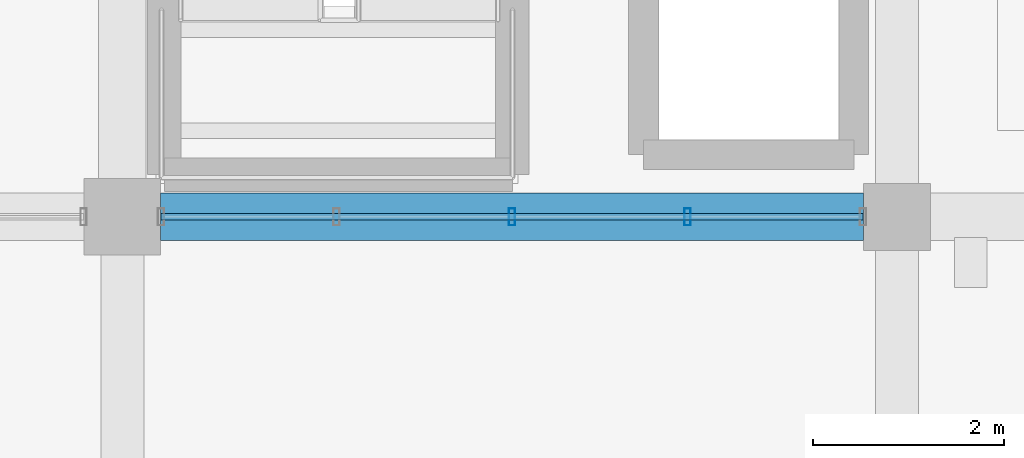
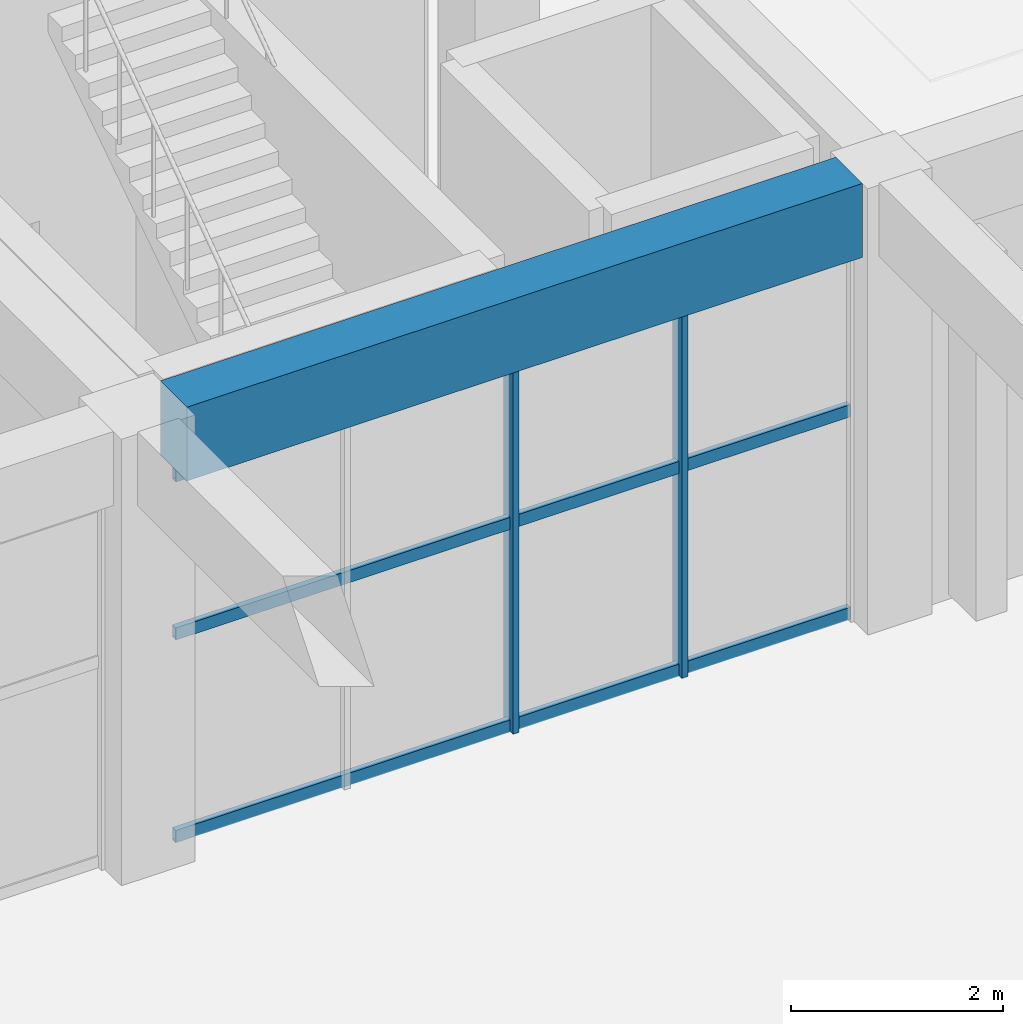
# One storey, part 29 of 140: 5 members, 1 beam, 1 element without a shape of its own.
"""IFC4 building model written with IfcOpenShell, lengths in metres."""

from ifc_helpers import new_model, si_unit, direction, frame, origin, origin_2d, place, context, subcontext, project, spatial, rectangle, hollow_rectangle, extrude, material, material_profile, profile_set, type_object, element, aggregate, save


model = new_model("IFC4")

# Units and contexts
model_context = context("Model", 3, precision=1e-05, world=origin(), true_north=direction((0.0, 1.0)))
body_context = subcontext(model_context, "Body", "Model", "MODEL_VIEW")
ifc_project = project(units=[si_unit("LENGTHUNIT", "METRE"), si_unit("AREAUNIT", "SQUARE_METRE"), si_unit("VOLUMEUNIT", "CUBIC_METRE"), si_unit("PLANEANGLEUNIT", "RADIAN"), si_unit("MASSUNIT", "GRAM", prefix="KILO")], contexts=[model_context])

# Site, building, storey
site_placement = place(None, origin())
site = spatial("IfcSite", under=ifc_project, at=site_placement, CompositionType="ELEMENT")
building_placement = place(site_placement, origin())
building = spatial("IfcBuilding", under=site, at=building_placement, Name="Cimatlan Art Gallery", CompositionType="ELEMENT")
storey_placement = place(building_placement, origin())
storey = spatial("IfcBuildingStorey", under=building, at=storey_placement, Name="L00", CompositionType="ELEMENT", Elevation=0.0)

# Beam
ifc_material_1 = material(Name="Concrete C40/50", Category="concrete")
ifc_material_profile_1 = material_profile(ifc_material_1, rectangle(XDim=0.5, YDim=0.85009765625, at=origin_2d()), Name="RC500X850")
ifc_profile_set_1 = profile_set([ifc_material_profile_1], Name="Concrete C40/50")
beam_type = type_object("IfcBeamType", Name="BM-RC-500X850", PredefinedType="BEAM", material=ifc_profile_set_1)
beam_placement = place(storey_placement, frame((75.300048828125, 23.89990234375, 4.7099609375), z_axis=(1.0, 0.0, 0.0), x_axis=(0.0, 1.0, 0.0)))
element("IfcBeam", 1, at=beam_placement, inside=storey, type_object=beam_type, Name="BM-X-L00-09-03", PredefinedType="BEAM", context=body_context, shape_type="SweptSolid", body=[
    extrude(rectangle(XDim=0.5, YDim=0.85009765625, at=origin_2d()), origin(), (0.0, 0.0, 1.0), 7.349853515625),
])

# Curtain wall, members
ifc_material_2 = material(Name="Anodised bronze unitised curtain wall")
curtain_wall_type = type_object("IfcCurtainWallType", Name="CW-V-07342X04270-B4", PredefinedType="NOTDEFINED", material=ifc_material_2)
curtain_wall_placement = place(storey_placement, origin())
curtain_wall = element("IfcCurtainWall", 2, at=curtain_wall_placement, inside=storey, type_object=curtain_wall_type, Name="CW-L00-09-03-S", PredefinedType="NOTDEFINED")
ifc_material_3 = material(Name="Anodised bronze aluminium 6063-T6", Category="aluminium")
ifc_material_profile_2 = material_profile(ifc_material_3, hollow_rectangle(XDim=0.06494140625, YDim=0.179931640625, WallThickness=0.00390625, at=origin_2d()), Name="ALU65X180X4")
ifc_profile_set_2 = profile_set([ifc_material_profile_2], Name="Anodised bronze aluminium 6063-T6")
member_type_1 = type_object("IfcMemberType", Name="CW-MUL-180", PredefinedType="MULLION", material=ifc_profile_set_2)
member_1_placement = place(storey_placement, frame((80.810546875, 23.89990234375, 0.0), z_axis=(0.0, 0.0, 1.0), x_axis=(1.0, 0.0, 0.0)))
member_1 = element("IfcMember", 3, at=member_1_placement, type_object=member_type_1, Name="CW-L00-09-03-S-M2", PredefinedType="MULLION", context=body_context, shape_type="SweptSolid", body=[
    extrude(hollow_rectangle(XDim=0.06494140625, YDim=0.179931640625, WallThickness=0.00390625, at=origin_2d()), origin(), (0.0, 0.0, 1.0), 4.27001953125),
])
member_2_placement = place(storey_placement, frame((78.97509765625, 23.89990234375, 0.0), z_axis=(0.0, 0.0, 1.0), x_axis=(1.0, 0.0, 0.0)))
member_2 = element("IfcMember", 4, at=member_2_placement, type_object=member_type_1, Name="CW-L00-09-03-S-M3", PredefinedType="MULLION", context=body_context, shape_type="SweptSolid", body=[
    extrude(hollow_rectangle(XDim=0.06494140625, YDim=0.179931640625, WallThickness=0.00390625, at=origin_2d()), origin(), (0.0, 0.0, 1.0), 4.27001953125),
])
ifc_material_profile_3 = material_profile(ifc_material_3, hollow_rectangle(XDim=0.06494140625, YDim=0.139892578125, WallThickness=0.00390625, at=origin_2d()), Name="ALU65X140X4")
ifc_profile_set_3 = profile_set([ifc_material_profile_3], Name="Anodised bronze aluminium 6063-T6")
member_type_2 = type_object("IfcMemberType", Name="CW-TRN-140", PredefinedType="USERDEFINED", material=ifc_profile_set_3)
member_3_placement = place(storey_placement, frame((82.64599609375, 23.89990234375, 0.06005859375), z_axis=(-1.0, 0.0, 0.0), x_axis=(0.0, -1.0, 0.0)))
member_3 = element("IfcMember", 5, at=member_3_placement, type_object=member_type_2, Name="CW-L00-09-03-S-T1", ObjectType="TRANSOM", PredefinedType="USERDEFINED", context=body_context, shape_type="SweptSolid", body=[
    extrude(hollow_rectangle(XDim=0.06494140625, YDim=0.139892578125, WallThickness=0.00390625, at=origin_2d()), origin(), (0.0, 0.0, 1.0), 7.342041015625),
])
member_4_placement = place(storey_placement, frame((82.64599609375, 23.89990234375, 2.39111328125), z_axis=(-1.0, 0.0, 0.0), x_axis=(0.0, -1.0, 0.0)))
member_4 = element("IfcMember", 6, at=member_4_placement, type_object=member_type_2, Name="CW-L00-09-03-S-T2", ObjectType="TRANSOM", PredefinedType="USERDEFINED", context=body_context, shape_type="SweptSolid", body=[
    extrude(hollow_rectangle(XDim=0.06494140625, YDim=0.139892578125, WallThickness=0.00390625, at=origin_2d()), origin(), (0.0, 0.0, 1.0), 7.342041015625),
])
member_5_placement = place(storey_placement, frame((82.64599609375, 23.89990234375, 4.2099609375), z_axis=(-1.0, 0.0, 0.0), x_axis=(0.0, -1.0, 0.0)))
member_5 = element("IfcMember", 7, at=member_5_placement, type_object=member_type_2, Name="CW-L00-09-03-S-T3", ObjectType="TRANSOM", PredefinedType="USERDEFINED", context=body_context, shape_type="SweptSolid", body=[
    extrude(hollow_rectangle(XDim=0.06494140625, YDim=0.139892578125, WallThickness=0.00390625, at=origin_2d()), origin(), (0.0, 0.0, 1.0), 7.342041015625),
])
aggregate(curtain_wall, [member_1, member_2, member_3, member_4, member_5])

save(model, "model.ifc")
